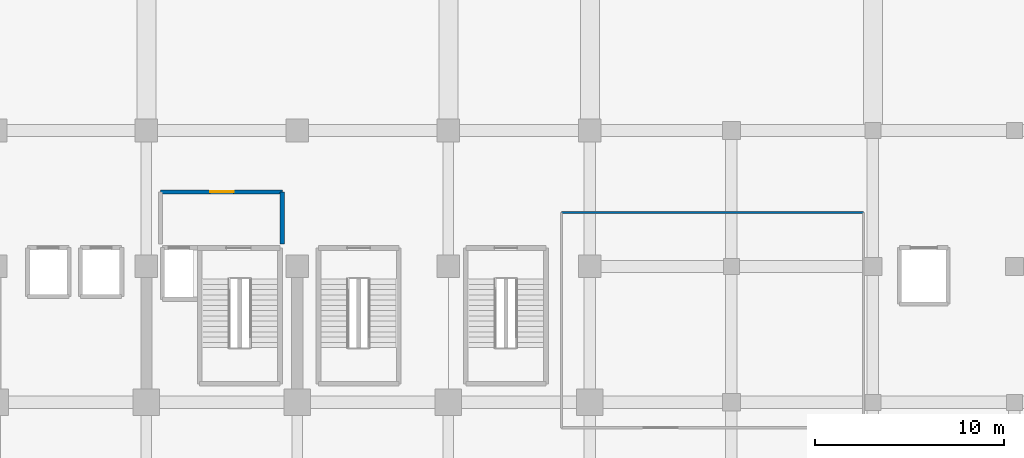
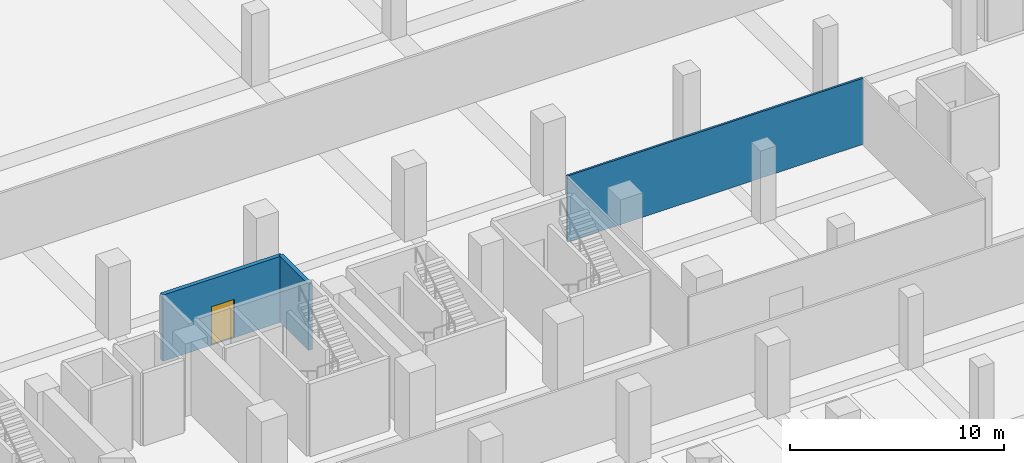
# One storey, part 14 of 25: 3 walls, 1 door, 1 opening.
"""IFC4 building model written with IfcOpenShell, lengths in metres."""

import ifcopenshell
import ifcopenshell.guid

model = None  # the IFC model being written
_history = None  # IfcOwnerHistory: only IFC2X3 demands one
_inside = {}  # id of a spatial element -> (the spatial element, [elements in it])
_under = {}  # id of a project, library or spatial element -> (it, [spatial elements below it])
_declared = {}  # id of a project -> (the project, [libraries it declares])
_typed = {}  # id of a type object -> (the type object, [elements of that type])
_made_of = {}  # id of a material, layer set ... -> (it, [elements and type objects made of it])


def new_model(schema):
    """Start an empty IFC model of exactly this schema.

    Asked for "IFC4X3", IfcOpenShell would pick the latest addendum, in which some entities
    have other attributes; the version numbers below select the first issue.
    IFC2X3 requires an IfcOwnerHistory on every rooted entity: one is made here for all.
    """
    global model, _history
    if schema == "IFC4X3":
        model = ifcopenshell.file(schema_version=(4, 3, 0, 0))
    else:
        model = ifcopenshell.file(schema=schema)
    _inside.clear()
    _under.clear()
    _declared.clear()
    _typed.clear()
    _made_of.clear()
    _history = None
    if model.schema == "IFC2X3":
        org = make("IfcOrganization", Name="unknown")
        user = make(
            "IfcPersonAndOrganization",
            ThePerson=make("IfcPerson", FamilyName="unknown"),
            TheOrganization=org,
        )
        app = make(
            "IfcApplication",
            ApplicationDeveloper=org,
            Version="unknown",
            ApplicationFullName="unknown",
            ApplicationIdentifier="unknown",
        )
        _history = make(
            "IfcOwnerHistory",
            OwningUser=user,
            OwningApplication=app,
            ChangeAction="ADDED",
            CreationDate=0,
        )
    return model


def make(cls, **values):
    """One entity of the class cls with the attributes given. An attribute that is None is left unset."""
    return model.create_entity(
        cls, **{name: value for name, value in values.items() if value is not None}
    )


def rooted(cls, **values):
    """An entity with a GlobalId (a new one), such as an element, a storey or a relation."""
    return make(cls, GlobalId=ifcopenshell.guid.new(), OwnerHistory=_history, **values)


def si_unit(unit_type, name, prefix=None):
    """IfcSIUnit, for example si_unit("LENGTHUNIT", "METRE", prefix="MILLI")."""
    return make("IfcSIUnit", UnitType=unit_type, Prefix=prefix, Name=name)


def assignment(units):
    """IfcUnitAssignment: the units of a project."""
    return None if units is None else make("IfcUnitAssignment", Units=units)


def point(xyz):
    """IfcCartesianPoint."""
    return None if xyz is None else make("IfcCartesianPoint", Coordinates=xyz)


def direction(xyz):
    """IfcDirection."""
    return None if xyz is None else make("IfcDirection", DirectionRatios=xyz)


def frame(location, z_axis=None, x_axis=None):
    """IfcAxis2Placement3D, a coordinate frame: its origin and axes. An axis left out is left unset."""
    return make(
        "IfcAxis2Placement3D",
        Location=point(location),
        Axis=direction(z_axis),
        RefDirection=direction(x_axis),
    )


def frame_2d(location, x_axis=None):
    """IfcAxis2Placement2D, a coordinate frame in the plane: its origin and x axis."""
    return make(
        "IfcAxis2Placement2D", Location=point(location), RefDirection=direction(x_axis)
    )


def origin():
    """The frame at (0, 0, 0) with its axes left unset."""
    return frame((0.0, 0.0, 0.0))


def place(relative_to, where):
    """IfcLocalPlacement: puts the frame where relative to a parent placement (None: the world)."""
    return make(
        "IfcLocalPlacement", PlacementRelTo=relative_to, RelativePlacement=where
    )


def context(
    kind, dimensions, precision=None, world=None, true_north=None, identifier=None
):
    """IfcGeometricRepresentationContext, for example the 3D "Model" context."""
    return make(
        "IfcGeometricRepresentationContext",
        ContextIdentifier=identifier,
        ContextType=kind,
        CoordinateSpaceDimension=dimensions,
        Precision=precision,
        WorldCoordinateSystem=world,
        TrueNorth=true_north,
    )


def subcontext(parent, identifier, kind, view, scale=None):
    """IfcGeometricRepresentationSubContext, for example "Body" below "Model"."""
    return make(
        "IfcGeometricRepresentationSubContext",
        ContextIdentifier=identifier,
        ContextType=kind,
        ParentContext=parent,
        TargetScale=scale,
        TargetView=view,
    )


def project(units=None, contexts=None):
    """IfcProject with its units and contexts."""
    return rooted(
        "IfcProject",
        Name="project",
        RepresentationContexts=contexts,
        UnitsInContext=assignment(units),
    )


def spatial(cls, under=None, at=None, **own):
    """A site, building, storey or space (cls), placed at a placement, below another one or the project."""
    s = rooted(cls, ObjectPlacement=at, **own)
    if under is not None:
        _under.setdefault(under.id(), (under, []))[1].append(s)
    return s


def profile(cls, at=None, kind="AREA", **sizes):
    """A parametric profile (cls). Its sizes go by their IFC names, for example OverallWidth=200.0."""
    return make(cls, ProfileType=kind, Position=at, **sizes)


def rectangle(**sizes):
    """IfcRectangleProfileDef."""
    return profile("IfcRectangleProfileDef", **sizes)


def extrude(swept, where, along, depth):
    """IfcExtrudedAreaSolid: the profile swept, set in the frame where, extruded along a direction by depth."""
    return make(
        "IfcExtrudedAreaSolid",
        SweptArea=swept,
        Position=where,
        ExtrudedDirection=direction(along),
        Depth=depth,
    )


def shape(context_of_items, identifier, shape_type, items):
    """IfcShapeRepresentation: the items that make up one representation, for example the "Body"."""
    return make(
        "IfcShapeRepresentation",
        ContextOfItems=context_of_items,
        RepresentationIdentifier=identifier,
        RepresentationType=shape_type,
        Items=items,
    )


def material(Name=None, Category=None):
    """IfcMaterial."""
    return make("IfcMaterial", Name=Name, Category=Category)


def layer(
    of_material, thickness, ventilated=None, Name=None, Category=None, Priority=None
):
    """IfcMaterialLayer: one layer of a wall or slab, of a material (None: an air gap)."""
    return make(
        "IfcMaterialLayer",
        Material=of_material,
        LayerThickness=thickness,
        IsVentilated=ventilated,
        Name=Name,
        Category=Category,
        Priority=Priority,
    )


def layer_set(layers, Name=None):
    """IfcMaterialLayerSet."""
    return make("IfcMaterialLayerSet", MaterialLayers=layers, LayerSetName=Name)


def made_of(thing, what):
    """Note that an element or type object is made of a material, layer set ...; save() writes the relation."""
    if what is not None:
        _made_of.setdefault(what.id(), (what, []))[1].append(thing)
    return thing


def type_object(cls, material=None, **own):
    """A type object (cls), such as IfcWallType, which elements share."""
    return made_of(rooted(cls, **own), material)


def element(
    cls,
    number,
    at=None,
    inside=None,
    cuts=None,
    type_object=None,
    material=None,
    context=None,
    identifier="Body",
    shape_type=None,
    held_by="IfcProductDefinitionShape",
    body=None,
    shapes=None,
    **own,
):
    """One element of the class cls, such as IfcWall. Its Tag is "e" and its number.

    at: its placement. inside: the storey or other place that contains it. cuts: it is an
    opening in that element (IfcRelVoidsElement). A single representation is given by context,
    identifier, shape_type and body (its items); several are given by shapes. held_by: the class
    of the entity that holds the representations. save() writes the other relations.
    """
    e = rooted(cls, Tag="e%d" % number, ObjectPlacement=at, **own)
    if body is not None:
        shapes = [shape(context, identifier, shape_type, body)]
    if shapes is not None:
        e.Representation = make(held_by, Representations=shapes)
    if inside is not None:
        _inside.setdefault(inside.id(), (inside, []))[1].append(e)
    if cuts is not None:
        rooted(
            "IfcRelVoidsElement", RelatingBuildingElement=cuts, RelatedOpeningElement=e
        )
    if type_object is not None:
        _typed.setdefault(type_object.id(), (type_object, []))[1].append(e)
    return made_of(e, material)


def fill(opening, filler):
    """IfcRelFillsElement: the door or window that sits in an opening."""
    return rooted(
        "IfcRelFillsElement",
        RelatingOpeningElement=opening,
        RelatedBuildingElement=filler,
    )


def aggregate(whole, parts):
    """IfcRelAggregates: a whole, such as a stair, and the parts it consists of."""
    return rooted("IfcRelAggregates", RelatingObject=whole, RelatedObjects=parts)


def save(model, path):
    """Write the relations noted so far, then the file.

    IfcRelAggregates (storeys below a building ...), IfcRelContainedInSpatialStructure (elements
    in a storey), IfcRelDefinesByType, IfcRelAssociatesMaterial and IfcRelDeclares: one each for
    every whole, place, type object, material and project.
    """
    for whole, parts in _under.values():
        aggregate(whole, parts)
    for where, things in _inside.values():
        rooted(
            "IfcRelContainedInSpatialStructure",
            RelatedElements=things,
            RelatingStructure=where,
        )
    for kind, things in _typed.values():
        rooted("IfcRelDefinesByType", RelatedObjects=things, RelatingType=kind)
    for what, things in _made_of.values():
        rooted("IfcRelAssociatesMaterial", RelatedObjects=things, RelatingMaterial=what)
    for by, libraries in _declared.values():
        rooted("IfcRelDeclares", RelatingContext=by, RelatedDefinitions=libraries)
    model.write(path)


model = new_model("IFC4")

# Units and contexts
model_context = context("Model", 3, precision=1e-05, world=origin(), true_north=direction((0.0, 1.0)))
body_context = subcontext(model_context, "Body", "Model", "MODEL_VIEW")
ifc_project = project(units=[si_unit("LENGTHUNIT", "METRE"), si_unit("AREAUNIT", "SQUARE_METRE"), si_unit("VOLUMEUNIT", "CUBIC_METRE"), si_unit("PLANEANGLEUNIT", "RADIAN"), si_unit("MASSUNIT", "GRAM", prefix="KILO")], contexts=[model_context])

# Site, building, storey
site_placement = place(None, origin())
site = spatial("IfcSite", under=ifc_project, at=site_placement, CompositionType="ELEMENT")
building_placement = place(site_placement, origin())
building = spatial("IfcBuilding", under=site, at=building_placement, Name="Akrevak Sports Hall", CompositionType="ELEMENT")
storey_placement = place(building_placement, frame((0.0, 0.0, -4.5)))
storey = spatial("IfcBuildingStorey", under=building, at=storey_placement, Name="B01", CompositionType="ELEMENT", Elevation=-4.5)

# Wall
ifc_material_1 = material(Name="Lightweight Office Partition", Category="gypsum")
ifc_layer_1 = layer(ifc_material_1, 0.110107421875, Name="Lightweight Office Partition")
ifc_layer_set_1 = layer_set([ifc_layer_1], Name="Lightweight Office Partition")
wall_type_1 = type_object("IfcWallType", Name="ARC-WL-PRT-110", PredefinedType="PARTITIONING", material=ifc_layer_set_1)
wall_1_placement = place(storey_placement, frame((114.0, 65.25, 0.0), z_axis=(0.0, 0.0, 1.0), x_axis=(1.0, 0.0, 0.0)))
element("IfcWall", 1, at=wall_1_placement, inside=storey, type_object=wall_type_1, Name="Interior Partition Athletic Gear & Equipment Storage B01 (N)", PredefinedType="PARTITIONING", context=body_context, shape_type="SweptSolid", body=[
    extrude(rectangle(XDim=16.0, YDim=0.110107421875, at=frame_2d((8.0, 0.0))), origin(), (0.0, 0.0, 1.0), 3.780029296875),
])

# Wall, opening, door
ifc_material_2 = material(Name="Concrete C40/50", Category="concrete")
ifc_layer_2 = layer(ifc_material_2, 0.219970703125, Name="Concrete C40/50")
ifc_layer_set_2 = layer_set([ifc_layer_2], Name="Concrete C40/50")
wall_type_2 = type_object("IfcWallType", Name="ARC-WL-PRT-220", PredefinedType="PARTITIONING", material=ifc_layer_set_2)
wall_2_placement = place(storey_placement, frame((92.75, 66.35009765625, 0.0), z_axis=(0.0, 0.0, 1.0), x_axis=(1.0, 0.0, 0.0)))
wall_2 = element("IfcWall", 2, at=wall_2_placement, inside=storey, type_object=wall_type_2, Name="Interior Partition Firefighting Lobby East B01 (N)", PredefinedType="PARTITIONING", context=body_context, shape_type="SweptSolid", body=[
    extrude(rectangle(XDim=6.449951171875, YDim=0.219970703125, at=frame_2d((3.22509765625, 0.0))), origin(), (0.0, 0.0, 1.0), 3.780029296875),
])
opening_placement = place(wall_2_placement, frame((2.625, 0.0, 0.0)))
opening = element("IfcOpeningElement", 3, at=opening_placement, cuts=wall_2, Name="Opening FD-01", PredefinedType="OPENING", context=body_context, shape_type="SweptSolid", body=[
    extrude(rectangle(XDim=1.25, YDim=2.199951171875, at=frame_2d((0.625, 1.10009765625))), frame((0.0, 0.1220703125, 0.0), z_axis=(0.0, -1.0, 0.0), x_axis=(1.0, 0.0, 0.0)), (0.0, 0.0, 1.0), 0.243896484375),
])
ifc_material_3 = material(Name="Fire-Rated Galvanized Door Steel", Category="steel")
door_type = type_object("IfcDoorType", Name="ARC-DR-FFL-125x220", OperationType="NOTDEFINED", PredefinedType="DOOR", material=ifc_material_3)
door_placement = place(opening_placement, frame((1.25, 0.0, 0.0), z_axis=(0.0, 0.0, 1.0), x_axis=(-1.0, 0.0, 0.0)))
door = element("IfcDoor", 4, at=door_placement, inside=storey, type_object=door_type, Name="Door to Firefighting Lobby East B01", OperationType="SINGLE_SWING_RIGHT", OverallHeight=2.199951171875, OverallWidth=1.25, PredefinedType="DOOR", context=body_context, shape_type="SweptSolid", body=[
    extrude(rectangle(XDim=1.25, YDim=2.199951171875, at=frame_2d((0.625, 1.10009765625))), frame((0.0, 0.02490234375, 0.0), z_axis=(0.0, -1.0, 0.0), x_axis=(1.0, 0.0, 0.0)), (0.0, 0.0, 1.0), 0.050048828125),
])
fill(opening, door)

# Wall
wall_3_placement = place(storey_placement, frame((99.199951171875, 63.60009765625, 0.0), z_axis=(0.0, 0.0, 1.0), x_axis=(0.0, 1.0, 0.0)))
element("IfcWall", 5, at=wall_3_placement, inside=storey, type_object=wall_type_2, Name="Interior Partition Firefighting Lobby East B01 (E)", PredefinedType="PARTITIONING", context=body_context, shape_type="SweptSolid", body=[
    extrude(rectangle(XDim=2.75, YDim=0.219970703125, at=frame_2d((1.375, 0.0))), origin(), (0.0, 0.0, 1.0), 3.780029296875),
])

save(model, "model.ifc")
